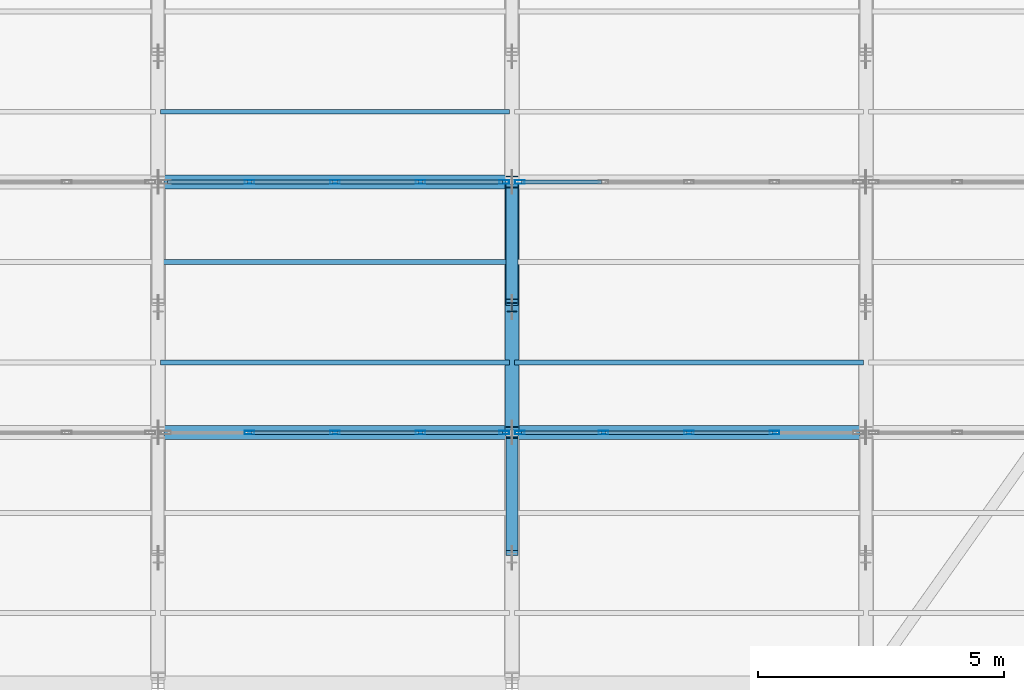
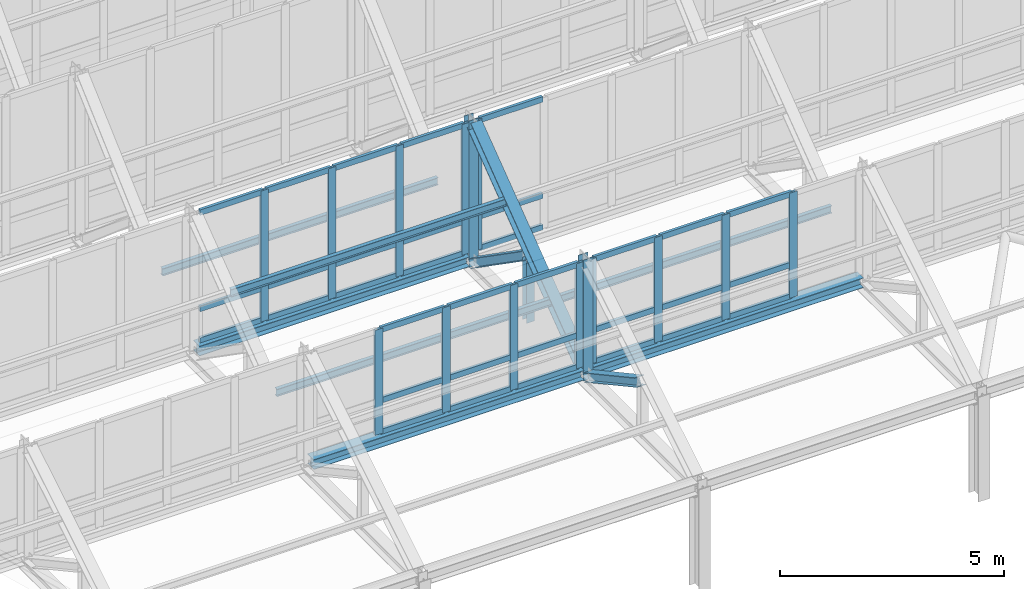
# One storey, part 29 of 157: 56 members, 3 beams, 4 elements without a shape of their own.
"""IFC4 building model written with IfcOpenShell, lengths in metres."""

from ifc_helpers import new_model, si_unit, direction, frame, origin, origin_2d, place, context, subcontext, project, spatial, hollow_rectangle, i_section, extrude, material, material_profile, profile_set, type_object, element, aggregate, save


model = new_model("IFC4")

# Units and contexts
model_context = context("Model", 3, precision=1e-05, world=origin(), true_north=direction((0.0, 1.0)))
body_context = subcontext(model_context, "Body", "Model", "MODEL_VIEW")
ifc_project = project(units=[si_unit("LENGTHUNIT", "METRE"), si_unit("AREAUNIT", "SQUARE_METRE"), si_unit("VOLUMEUNIT", "CUBIC_METRE"), si_unit("PLANEANGLEUNIT", "RADIAN"), si_unit("MASSUNIT", "GRAM", prefix="KILO")], contexts=[model_context])

# Site, building, storey
site_placement = place(None, origin())
site = spatial("IfcSite", under=ifc_project, at=site_placement, CompositionType="ELEMENT")
building_placement = place(site_placement, origin())
building = spatial("IfcBuilding", under=site, at=building_placement, Name="Suanplinth Sawtooth Commons", CompositionType="ELEMENT")
storey_placement = place(building_placement, frame((0.0, 0.0, 9.0)))
storey = spatial("IfcBuildingStorey", under=building, at=storey_placement, Name="L02", CompositionType="ELEMENT", Elevation=9.0)

# Beams
ifc_material_1 = material(Name="Steel S355JR", Category="steel")
ifc_material_profile_1 = material_profile(ifc_material_1, i_section(OverallWidth=0.280029296875, OverallDepth=0.27001953125, WebThickness=0.008056640625, FlangeThickness=0.012939453125, at=origin_2d()), Name="HEA 280")
ifc_profile_set_1 = profile_set([ifc_material_profile_1], Name="Steel S355JR")
beam_type = type_object("IfcBeamType", Name="B-16", PredefinedType="USERDEFINED", material=ifc_profile_set_1)
for number, where, z_axis, x_axis, name in (
    (1, (93.719970703125, 55.5, 2.820068359375), (1.0, 0.0, 0.0), (0.0, 1.0, 0.0), "Sawtooth Valley Girder T2-B5"),
    (2, (100.919921875, 55.5, 2.820068359375), (1.0, 0.0, 0.0), (0.0, 1.0, 0.0), "Sawtooth Valley Girder T2-B6"),
    (3, (93.719970703125, 60.60009765625, 2.820068359375), (1.0, 0.0, 0.0), (0.0, 1.0, 0.0), "Sawtooth Valley Girder T3-B5"),
):
    element("IfcBeam", number, at=place(storey_placement, frame(where, z_axis=z_axis, x_axis=x_axis)), inside=storey, type_object=beam_type, Name=name, ObjectType="GIRDER", PredefinedType="USERDEFINED", context=body_context, shape_type="SweptSolid", body=[
        extrude(i_section(OverallWidth=0.280029296875, OverallDepth=0.27001953125, WebThickness=0.008056640625, FlangeThickness=0.012939453125, at=origin_2d()), origin(), (0.0, 0.0, 1.0), 6.9599609375),
    ])

# Members
ifc_material_profile_2 = material_profile(ifc_material_1, i_section(OverallWidth=0.280029296875, OverallDepth=0.280029296875, WebThickness=0.010498046875, FlangeThickness=0.01806640625, at=origin_2d()), Name="HEB 280")
ifc_profile_set_2 = profile_set([ifc_material_profile_2], Name="Steel S355JR")
member_type_1 = type_object("IfcMemberType", Name="M-02", PredefinedType="CHORD", material=ifc_profile_set_2)
member_1_placement = place(storey_placement, frame((100.800048828125, 55.639892578125, 2.919921875), z_axis=(0.0, 0.799596436712, 0.600537707723), x_axis=(-1.0, 0.0, 0.0)))
element("IfcMember", 4, at=member_1_placement, inside=storey, type_object=member_type_1, Name="Sawtooth Truss T6 Top Chord 2", PredefinedType="CHORD", context=body_context, shape_type="SweptSolid", body=[
    extrude(i_section(OverallWidth=0.280029296875, OverallDepth=0.280029296875, WebThickness=0.010498046875, FlangeThickness=0.01806640625, at=origin_2d()), origin(), (0.0, 0.0, 1.0), 6.028076171875),
])
ifc_material_profile_3 = material_profile(ifc_material_1, i_section(OverallWidth=0.239990234375, OverallDepth=0.22998046875, WebThickness=0.007568359375, FlangeThickness=0.011962890625, at=origin_2d()), Name="HEA 240")
ifc_profile_set_3 = profile_set([ifc_material_profile_3], Name="Steel S355JR")
member_type_2 = type_object("IfcMemberType", Name="M-03", PredefinedType="BRACE", material=ifc_profile_set_3)
member_2_placement = place(storey_placement, frame((100.800048828125, 53.050048828125, 4.02001953125), z_axis=(0.0, 0.878022125023, -0.478620045517), x_axis=(-1.0, 0.0, 0.0)))
element("IfcMember", 5, at=member_2_placement, inside=storey, type_object=member_type_2, Name="Sawtooth Truss T6 Web Diagonal 1", PredefinedType="BRACE", context=body_context, shape_type="SweptSolid", body=[
    extrude(i_section(OverallWidth=0.239990234375, OverallDepth=0.22998046875, WebThickness=0.007568359375, FlangeThickness=0.011962890625, at=origin_2d()), origin(), (0.0, 0.0, 1.0), 2.653564453125),
])
member_3_placement = place(storey_placement, frame((100.800048828125, 58.14990234375, 4.3701171875), z_axis=(0.0, 0.821038438566, -0.570872912649), x_axis=(-1.0, 0.0, 0.0)))
element("IfcMember", 6, at=member_3_placement, inside=storey, type_object=member_type_2, Name="Sawtooth Truss T6 Web Diagonal 2", PredefinedType="BRACE", context=body_context, shape_type="SweptSolid", body=[
    extrude(i_section(OverallWidth=0.239990234375, OverallDepth=0.22998046875, WebThickness=0.007568359375, FlangeThickness=0.011962890625, at=origin_2d()), origin(), (0.0, 0.0, 1.0), 2.837890625),
])
ifc_material_profile_4 = material_profile(ifc_material_1, i_section(OverallWidth=0.199951171875, OverallDepth=0.18994140625, WebThickness=0.006591796875, FlangeThickness=0.010009765625, at=origin_2d()), Name="HEA 200")
ifc_profile_set_4 = profile_set([ifc_material_profile_4], Name="Steel S355JR")
member_type_3 = type_object("IfcMemberType", Name="M-04", PredefinedType="BRACE", material=ifc_profile_set_4)
member_4_placement = place(storey_placement, frame((100.800048828125, 58.050048828125, 2.64990234375), z_axis=(0.0, 0.0, 1.0), x_axis=(1.0, 0.0, 0.0)))
element("IfcMember", 7, at=member_4_placement, inside=storey, type_object=member_type_3, Name="Sawtooth Truss T6 Mid Web Post 2", PredefinedType="BRACE", context=body_context, shape_type="SweptSolid", body=[
    extrude(i_section(OverallWidth=0.199951171875, OverallDepth=0.18994140625, WebThickness=0.006591796875, FlangeThickness=0.010009765625, at=origin_2d()), origin(), (0.0, 0.0, 1.0), 1.7001953125),
])
ifc_material_profile_5 = material_profile(ifc_material_1, i_section(OverallWidth=0.239990234375, OverallDepth=0.239990234375, WebThickness=0.010009765625, FlangeThickness=0.01708984375, at=origin_2d()), Name="HEB 240")
ifc_profile_set_5 = profile_set([ifc_material_profile_5], Name="Steel S355JR")
member_type_4 = type_object("IfcMemberType", Name="M-05", PredefinedType="POST", material=ifc_profile_set_5)
member_5_placement = place(storey_placement, frame((100.800048828125, 55.5, 2.64990234375), z_axis=(0.0, 0.0, 1.0), x_axis=(1.0, 0.0, 0.0)))
element("IfcMember", 8, at=member_5_placement, inside=storey, type_object=member_type_4, Name="Sawtooth Truss T6 Clerestory Post 1", PredefinedType="POST", context=body_context, shape_type="SweptSolid", body=[
    extrude(i_section(OverallWidth=0.239990234375, OverallDepth=0.239990234375, WebThickness=0.010009765625, FlangeThickness=0.01708984375, at=origin_2d()), origin(), (0.0, 0.0, 1.0), 3.2900390625),
])
member_6_placement = place(storey_placement, frame((100.800048828125, 60.60009765625, 2.64990234375), z_axis=(0.0, 0.0, 1.0), x_axis=(1.0, 0.0, 0.0)))
element("IfcMember", 9, at=member_6_placement, inside=storey, type_object=member_type_4, Name="Sawtooth Truss T6 Clerestory Post 2", PredefinedType="POST", context=body_context, shape_type="SweptSolid", body=[
    extrude(i_section(OverallWidth=0.239990234375, OverallDepth=0.239990234375, WebThickness=0.010009765625, FlangeThickness=0.01708984375, at=origin_2d()), origin(), (0.0, 0.0, 1.0), 3.989990234375),
])
ifc_material_2 = material(Name="Steel SS400", Category="steel")
ifc_material_profile_6 = material_profile(ifc_material_2, i_section(OverallWidth=0.10009765625, OverallDepth=0.199951171875, WebThickness=0.005615234375, FlangeThickness=0.008544921875, at=origin_2d()), Name="IPE 200")
ifc_profile_set_6 = profile_set([ifc_material_profile_6], Name="Steel SS400")
member_type_5 = type_object("IfcMemberType", Name="M-06", PredefinedType="PURLIN", material=ifc_profile_set_6)
for number, where, z_axis, x_axis, name in (
    (10, (93.64990234375, 56.927978515625, 3.87353515625), (1.0, 0.0, 0.0), (0.0, 1.0, 0.0), "Sawtooth Roof Purlin T2-B5-P1"),
    (11, (93.64990234375, 58.968017578125, 5.353515625), (1.0, 0.0, 0.0), (0.0, 1.0, 0.0), "Sawtooth Roof Purlin T2-B5-P2"),
):
    element("IfcMember", number, at=place(storey_placement, frame(where, z_axis=z_axis, x_axis=x_axis)), inside=storey, type_object=member_type_5, Name=name, PredefinedType="PURLIN", context=body_context, shape_type="SweptSolid", body=[
        extrude(i_section(OverallWidth=0.10009765625, OverallDepth=0.199951171875, WebThickness=0.005615234375, FlangeThickness=0.008544921875, at=origin_2d()), origin(), (0.0, 0.0, 1.0), 7.10009765625),
    ])
member_7_placement = place(storey_placement, frame((100.85009765625, 56.927978515625, 3.87353515625), z_axis=(1.0, 0.0, 0.0), x_axis=(0.0, 1.0, 0.0)))
element("IfcMember", 12, at=member_7_placement, inside=storey, type_object=member_type_5, Name="Sawtooth Roof Purlin T2-B6-P1", PredefinedType="PURLIN", context=body_context, shape_type="SweptSolid", body=[
    extrude(i_section(OverallWidth=0.10009765625, OverallDepth=0.199951171875, WebThickness=0.005615234375, FlangeThickness=0.008544921875, at=origin_2d()), origin(), (0.0, 0.0, 1.0), 7.099853515625),
])
member_8_placement = place(storey_placement, frame((93.64990234375, 62.028076171875, 4.067138671875), z_axis=(1.0, 0.0, 0.0), x_axis=(0.0, 1.0, 0.0)))
element("IfcMember", 13, at=member_8_placement, inside=storey, type_object=member_type_5, Name="Sawtooth Roof Purlin T3-B5-P1", PredefinedType="PURLIN", context=body_context, shape_type="SweptSolid", body=[
    extrude(i_section(OverallWidth=0.10009765625, OverallDepth=0.199951171875, WebThickness=0.005615234375, FlangeThickness=0.008544921875, at=origin_2d()), origin(), (0.0, 0.0, 1.0), 7.10009765625),
])

# Curtain wall, members
ifc_material_3 = material(Name="Anodized aluminium and low-E glazing", Category="aluminium")
curtain_wall_type = type_object("IfcCurtainWallType", Name="CW-03", PredefinedType="USERDEFINED", material=ifc_material_3)
curtain_wall_1_placement = place(storey_placement, origin())
curtain_wall_1 = element("IfcCurtainWall", 14, at=curtain_wall_1_placement, inside=storey, type_object=curtain_wall_type, Name="Curtain Wall CW-SAW-T1-B5", ObjectType="CURTAIN WALL", PredefinedType="USERDEFINED")
ifc_material_4 = material(Name="Anodized aluminium 6063-T6", Category="aluminium")
ifc_material_profile_7 = material_profile(ifc_material_4, hollow_rectangle(XDim=0.074951171875, YDim=0.199951171875, WallThickness=0.0048828125, at=origin_2d()), Name="ALU-MUL 75x200")
ifc_profile_set_7 = profile_set([ifc_material_profile_7], Name="Anodized aluminium 6063-T6")
member_type_6 = type_object("IfcMemberType", Name="M-14", PredefinedType="MULLION", material=ifc_profile_set_7)
member_9_placement = place(storey_placement, frame((95.4599609375, 55.5, 2.97998046875), z_axis=(0.0, 0.0, 1.0), x_axis=(0.0, 1.0, 0.0)))
member_9 = element("IfcMember", 15, at=member_9_placement, type_object=member_type_6, Name="CW-03 mullion 2", PredefinedType="MULLION", context=body_context, shape_type="SweptSolid", body=[
    extrude(hollow_rectangle(XDim=0.074951171875, YDim=0.199951171875, WallThickness=0.0048828125, at=origin_2d()), origin(), (0.0, 0.0, 1.0), 2.860107421875),
])
member_10_placement = place(storey_placement, frame((97.199951171875, 55.5, 2.97998046875), z_axis=(0.0, 0.0, 1.0), x_axis=(0.0, 1.0, 0.0)))
member_10 = element("IfcMember", 16, at=member_10_placement, type_object=member_type_6, Name="CW-03 mullion 3", PredefinedType="MULLION", context=body_context, shape_type="SweptSolid", body=[
    extrude(hollow_rectangle(XDim=0.074951171875, YDim=0.199951171875, WallThickness=0.0048828125, at=origin_2d()), origin(), (0.0, 0.0, 1.0), 2.860107421875),
])
member_11_placement = place(storey_placement, frame((98.93994140625, 55.5, 2.97998046875), z_axis=(0.0, 0.0, 1.0), x_axis=(0.0, 1.0, 0.0)))
member_11 = element("IfcMember", 17, at=member_11_placement, type_object=member_type_6, Name="CW-03 mullion 4", PredefinedType="MULLION", context=body_context, shape_type="SweptSolid", body=[
    extrude(hollow_rectangle(XDim=0.074951171875, YDim=0.199951171875, WallThickness=0.0048828125, at=origin_2d()), origin(), (0.0, 0.0, 1.0), 2.860107421875),
])
member_12_placement = place(storey_placement, frame((100.642578125, 55.5, 2.97998046875), z_axis=(0.0, 0.0, 1.0), x_axis=(0.0, 1.0, 0.0)))
member_12 = element("IfcMember", 18, at=member_12_placement, type_object=member_type_6, Name="CW-03 mullion 5", PredefinedType="MULLION", context=body_context, shape_type="SweptSolid", body=[
    extrude(hollow_rectangle(XDim=0.074951171875, YDim=0.199951171875, WallThickness=0.0048828125, at=origin_2d()), origin(), (0.0, 0.0, 1.0), 2.860107421875),
])

curtain_wall_2_placement = place(storey_placement, origin())
curtain_wall_2 = element("IfcCurtainWall", 19, at=curtain_wall_2_placement, inside=storey, type_object=curtain_wall_type, Name="Curtain Wall CW-SAW-T1-B6", ObjectType="CURTAIN WALL", PredefinedType="USERDEFINED")
member_13_placement = place(storey_placement, frame((100.95751953125, 55.5, 2.97998046875), z_axis=(0.0, 0.0, 1.0), x_axis=(0.0, 1.0, 0.0)))
member_13 = element("IfcMember", 20, at=member_13_placement, type_object=member_type_6, Name="CW-03 mullion 1", PredefinedType="MULLION", context=body_context, shape_type="SweptSolid", body=[
    extrude(hollow_rectangle(XDim=0.074951171875, YDim=0.199951171875, WallThickness=0.0048828125, at=origin_2d()), origin(), (0.0, 0.0, 1.0), 2.860107421875),
])
member_14_placement = place(storey_placement, frame((102.659912109375, 55.5, 2.97998046875), z_axis=(0.0, 0.0, 1.0), x_axis=(0.0, 1.0, 0.0)))
member_14 = element("IfcMember", 21, at=member_14_placement, type_object=member_type_6, Name="CW-03 mullion 2", PredefinedType="MULLION", context=body_context, shape_type="SweptSolid", body=[
    extrude(hollow_rectangle(XDim=0.074951171875, YDim=0.199951171875, WallThickness=0.0048828125, at=origin_2d()), origin(), (0.0, 0.0, 1.0), 2.860107421875),
])
member_15_placement = place(storey_placement, frame((104.39990234375, 55.5, 2.97998046875), z_axis=(0.0, 0.0, 1.0), x_axis=(0.0, 1.0, 0.0)))
member_15 = element("IfcMember", 22, at=member_15_placement, type_object=member_type_6, Name="CW-03 mullion 3", PredefinedType="MULLION", context=body_context, shape_type="SweptSolid", body=[
    extrude(hollow_rectangle(XDim=0.074951171875, YDim=0.199951171875, WallThickness=0.0048828125, at=origin_2d()), origin(), (0.0, 0.0, 1.0), 2.860107421875),
])
member_16_placement = place(storey_placement, frame((106.139892578125, 55.5, 2.97998046875), z_axis=(0.0, 0.0, 1.0), x_axis=(0.0, 1.0, 0.0)))
member_16 = element("IfcMember", 23, at=member_16_placement, type_object=member_type_6, Name="CW-03 mullion 4", PredefinedType="MULLION", context=body_context, shape_type="SweptSolid", body=[
    extrude(hollow_rectangle(XDim=0.074951171875, YDim=0.199951171875, WallThickness=0.0048828125, at=origin_2d()), origin(), (0.0, 0.0, 1.0), 2.860107421875),
])

curtain_wall_3_placement = place(storey_placement, origin())
curtain_wall_3 = element("IfcCurtainWall", 24, at=curtain_wall_3_placement, inside=storey, type_object=curtain_wall_type, Name="Curtain Wall CW-SAW-T2-B5", ObjectType="CURTAIN WALL", PredefinedType="USERDEFINED")
member_17_placement = place(storey_placement, frame((95.4599609375, 60.60009765625, 2.97998046875), z_axis=(0.0, 0.0, 1.0), x_axis=(0.0, 1.0, 0.0)))
member_17 = element("IfcMember", 25, at=member_17_placement, type_object=member_type_6, Name="CW-03 mullion 2", PredefinedType="MULLION", context=body_context, shape_type="SweptSolid", body=[
    extrude(hollow_rectangle(XDim=0.074951171875, YDim=0.199951171875, WallThickness=0.0048828125, at=origin_2d()), origin(), (0.0, 0.0, 1.0), 3.56005859375),
])
member_18_placement = place(storey_placement, frame((97.199951171875, 60.60009765625, 2.97998046875), z_axis=(0.0, 0.0, 1.0), x_axis=(0.0, 1.0, 0.0)))
member_18 = element("IfcMember", 26, at=member_18_placement, type_object=member_type_6, Name="CW-03 mullion 3", PredefinedType="MULLION", context=body_context, shape_type="SweptSolid", body=[
    extrude(hollow_rectangle(XDim=0.074951171875, YDim=0.199951171875, WallThickness=0.0048828125, at=origin_2d()), origin(), (0.0, 0.0, 1.0), 3.56005859375),
])
member_19_placement = place(storey_placement, frame((98.93994140625, 60.60009765625, 2.97998046875), z_axis=(0.0, 0.0, 1.0), x_axis=(0.0, 1.0, 0.0)))
member_19 = element("IfcMember", 27, at=member_19_placement, type_object=member_type_6, Name="CW-03 mullion 4", PredefinedType="MULLION", context=body_context, shape_type="SweptSolid", body=[
    extrude(hollow_rectangle(XDim=0.074951171875, YDim=0.199951171875, WallThickness=0.0048828125, at=origin_2d()), origin(), (0.0, 0.0, 1.0), 3.56005859375),
])
member_20_placement = place(storey_placement, frame((100.642578125, 60.60009765625, 2.97998046875), z_axis=(0.0, 0.0, 1.0), x_axis=(0.0, 1.0, 0.0)))
member_20 = element("IfcMember", 28, at=member_20_placement, type_object=member_type_6, Name="CW-03 mullion 5", PredefinedType="MULLION", context=body_context, shape_type="SweptSolid", body=[
    extrude(hollow_rectangle(XDim=0.074951171875, YDim=0.199951171875, WallThickness=0.0048828125, at=origin_2d()), origin(), (0.0, 0.0, 1.0), 3.56005859375),
])

# Curtain wall, member
curtain_wall_4_placement = place(storey_placement, origin())
curtain_wall_4 = element("IfcCurtainWall", 29, at=curtain_wall_4_placement, inside=storey, type_object=curtain_wall_type, Name="Curtain Wall CW-SAW-T2-B6", ObjectType="CURTAIN WALL", PredefinedType="USERDEFINED")
member_21_placement = place(storey_placement, frame((100.95751953125, 60.60009765625, 2.97998046875), z_axis=(0.0, 0.0, 1.0), x_axis=(0.0, 1.0, 0.0)))
member_21 = element("IfcMember", 30, at=member_21_placement, type_object=member_type_6, Name="CW-03 mullion 1", PredefinedType="MULLION", context=body_context, shape_type="SweptSolid", body=[
    extrude(hollow_rectangle(XDim=0.074951171875, YDim=0.199951171875, WallThickness=0.0048828125, at=origin_2d()), origin(), (0.0, 0.0, 1.0), 3.56005859375),
])

# Member
ifc_material_profile_8 = material_profile(ifc_material_4, hollow_rectangle(XDim=0.074951171875, YDim=0.14990234375, WallThickness=0.00439453125, at=origin_2d()), Name="ALU-TRN 75x150")
ifc_profile_set_8 = profile_set([ifc_material_profile_8], Name="Anodized aluminium 6063-T6")
member_type_7 = type_object("IfcMemberType", Name="M-16", PredefinedType="USERDEFINED", material=ifc_profile_set_8)
member_22_placement = place(storey_placement, frame((95.49755859375, 55.5, 3.017578125), z_axis=(1.0, 0.0, 0.0), x_axis=(0.0, 1.0, 0.0)))
member_22 = element("IfcMember", 31, at=member_22_placement, type_object=member_type_7, Name="CW-03 transom 2.1", ObjectType="TRANSOM", PredefinedType="USERDEFINED", context=body_context, shape_type="SweptSolid", body=[
    extrude(hollow_rectangle(XDim=0.074951171875, YDim=0.14990234375, WallThickness=0.00439453125, at=origin_2d()), origin(), (0.0, 0.0, 1.0), 1.6650390625),
])

member_23_placement = place(storey_placement, frame((95.49755859375, 55.5, 3.8798828125), z_axis=(1.0, 0.0, 0.0), x_axis=(0.0, 1.0, 0.0)))
member_23 = element("IfcMember", 32, at=member_23_placement, type_object=member_type_7, Name="CW-03 transom 2.2", ObjectType="TRANSOM", PredefinedType="USERDEFINED", context=body_context, shape_type="SweptSolid", body=[
    extrude(hollow_rectangle(XDim=0.074951171875, YDim=0.14990234375, WallThickness=0.00439453125, at=origin_2d()), origin(), (0.0, 0.0, 1.0), 1.6650390625),
])

member_24_placement = place(storey_placement, frame((95.49755859375, 55.5, 5.802490234375), z_axis=(1.0, 0.0, 0.0), x_axis=(0.0, 1.0, 0.0)))
member_24 = element("IfcMember", 33, at=member_24_placement, type_object=member_type_7, Name="CW-03 transom 2.3", ObjectType="TRANSOM", PredefinedType="USERDEFINED", context=body_context, shape_type="SweptSolid", body=[
    extrude(hollow_rectangle(XDim=0.074951171875, YDim=0.14990234375, WallThickness=0.00439453125, at=origin_2d()), origin(), (0.0, 0.0, 1.0), 1.6650390625),
])

member_25_placement = place(storey_placement, frame((97.237548828125, 55.5, 3.017578125), z_axis=(1.0, 0.0, 0.0), x_axis=(0.0, 1.0, 0.0)))
member_25 = element("IfcMember", 34, at=member_25_placement, type_object=member_type_7, Name="CW-03 transom 3.1", ObjectType="TRANSOM", PredefinedType="USERDEFINED", context=body_context, shape_type="SweptSolid", body=[
    extrude(hollow_rectangle(XDim=0.074951171875, YDim=0.14990234375, WallThickness=0.00439453125, at=origin_2d()), origin(), (0.0, 0.0, 1.0), 1.6650390625),
])

member_26_placement = place(storey_placement, frame((97.237548828125, 55.5, 3.8798828125), z_axis=(1.0, 0.0, 0.0), x_axis=(0.0, 1.0, 0.0)))
member_26 = element("IfcMember", 35, at=member_26_placement, type_object=member_type_7, Name="CW-03 transom 3.2", ObjectType="TRANSOM", PredefinedType="USERDEFINED", context=body_context, shape_type="SweptSolid", body=[
    extrude(hollow_rectangle(XDim=0.074951171875, YDim=0.14990234375, WallThickness=0.00439453125, at=origin_2d()), origin(), (0.0, 0.0, 1.0), 1.6650390625),
])

member_27_placement = place(storey_placement, frame((97.237548828125, 55.5, 5.802490234375), z_axis=(1.0, 0.0, 0.0), x_axis=(0.0, 1.0, 0.0)))
member_27 = element("IfcMember", 36, at=member_27_placement, type_object=member_type_7, Name="CW-03 transom 3.3", ObjectType="TRANSOM", PredefinedType="USERDEFINED", context=body_context, shape_type="SweptSolid", body=[
    extrude(hollow_rectangle(XDim=0.074951171875, YDim=0.14990234375, WallThickness=0.00439453125, at=origin_2d()), origin(), (0.0, 0.0, 1.0), 1.6650390625),
])

member_28_placement = place(storey_placement, frame((98.9775390625, 55.5, 3.017578125), z_axis=(1.0, 0.0, 0.0), x_axis=(0.0, 1.0, 0.0)))
member_28 = element("IfcMember", 37, at=member_28_placement, type_object=member_type_7, Name="CW-03 transom 4.1", ObjectType="TRANSOM", PredefinedType="USERDEFINED", context=body_context, shape_type="SweptSolid", body=[
    extrude(hollow_rectangle(XDim=0.074951171875, YDim=0.14990234375, WallThickness=0.00439453125, at=origin_2d()), origin(), (0.0, 0.0, 1.0), 1.62744140625),
])

member_29_placement = place(storey_placement, frame((98.9775390625, 55.5, 3.8798828125), z_axis=(1.0, 0.0, 0.0), x_axis=(0.0, 1.0, 0.0)))
member_29 = element("IfcMember", 38, at=member_29_placement, type_object=member_type_7, Name="CW-03 transom 4.2", ObjectType="TRANSOM", PredefinedType="USERDEFINED", context=body_context, shape_type="SweptSolid", body=[
    extrude(hollow_rectangle(XDim=0.074951171875, YDim=0.14990234375, WallThickness=0.00439453125, at=origin_2d()), origin(), (0.0, 0.0, 1.0), 1.62744140625),
])

member_30_placement = place(storey_placement, frame((98.9775390625, 55.5, 5.802490234375), z_axis=(1.0, 0.0, 0.0), x_axis=(0.0, 1.0, 0.0)))
member_30 = element("IfcMember", 39, at=member_30_placement, type_object=member_type_7, Name="CW-03 transom 4.3", ObjectType="TRANSOM", PredefinedType="USERDEFINED", context=body_context, shape_type="SweptSolid", body=[
    extrude(hollow_rectangle(XDim=0.074951171875, YDim=0.14990234375, WallThickness=0.00439453125, at=origin_2d()), origin(), (0.0, 0.0, 1.0), 1.62744140625),
])

aggregate(curtain_wall_1, [member_9, member_10, member_11, member_12, member_22, member_23, member_24, member_25, member_26, member_27, member_28, member_29, member_30])

member_31_placement = place(storey_placement, frame((100.9951171875, 55.5, 3.017578125), z_axis=(1.0, 0.0, 0.0), x_axis=(0.0, 1.0, 0.0)))
member_31 = element("IfcMember", 40, at=member_31_placement, type_object=member_type_7, Name="CW-03 transom 1.1", ObjectType="TRANSOM", PredefinedType="USERDEFINED", context=body_context, shape_type="SweptSolid", body=[
    extrude(hollow_rectangle(XDim=0.074951171875, YDim=0.14990234375, WallThickness=0.00439453125, at=origin_2d()), origin(), (0.0, 0.0, 1.0), 1.62744140625),
])

member_32_placement = place(storey_placement, frame((100.9951171875, 55.5, 3.8798828125), z_axis=(1.0, 0.0, 0.0), x_axis=(0.0, 1.0, 0.0)))
member_32 = element("IfcMember", 41, at=member_32_placement, type_object=member_type_7, Name="CW-03 transom 1.2", ObjectType="TRANSOM", PredefinedType="USERDEFINED", context=body_context, shape_type="SweptSolid", body=[
    extrude(hollow_rectangle(XDim=0.074951171875, YDim=0.14990234375, WallThickness=0.00439453125, at=origin_2d()), origin(), (0.0, 0.0, 1.0), 1.62744140625),
])

member_33_placement = place(storey_placement, frame((100.9951171875, 55.5, 5.802490234375), z_axis=(1.0, 0.0, 0.0), x_axis=(0.0, 1.0, 0.0)))
member_33 = element("IfcMember", 42, at=member_33_placement, type_object=member_type_7, Name="CW-03 transom 1.3", ObjectType="TRANSOM", PredefinedType="USERDEFINED", context=body_context, shape_type="SweptSolid", body=[
    extrude(hollow_rectangle(XDim=0.074951171875, YDim=0.14990234375, WallThickness=0.00439453125, at=origin_2d()), origin(), (0.0, 0.0, 1.0), 1.62744140625),
])

member_34_placement = place(storey_placement, frame((102.697509765625, 55.5, 3.017578125), z_axis=(1.0, 0.0, 0.0), x_axis=(0.0, 1.0, 0.0)))
member_34 = element("IfcMember", 43, at=member_34_placement, type_object=member_type_7, Name="CW-03 transom 2.1", ObjectType="TRANSOM", PredefinedType="USERDEFINED", context=body_context, shape_type="SweptSolid", body=[
    extrude(hollow_rectangle(XDim=0.074951171875, YDim=0.14990234375, WallThickness=0.00439453125, at=origin_2d()), origin(), (0.0, 0.0, 1.0), 1.6650390625),
])

member_35_placement = place(storey_placement, frame((102.697509765625, 55.5, 3.8798828125), z_axis=(1.0, 0.0, 0.0), x_axis=(0.0, 1.0, 0.0)))
member_35 = element("IfcMember", 44, at=member_35_placement, type_object=member_type_7, Name="CW-03 transom 2.2", ObjectType="TRANSOM", PredefinedType="USERDEFINED", context=body_context, shape_type="SweptSolid", body=[
    extrude(hollow_rectangle(XDim=0.074951171875, YDim=0.14990234375, WallThickness=0.00439453125, at=origin_2d()), origin(), (0.0, 0.0, 1.0), 1.6650390625),
])

member_36_placement = place(storey_placement, frame((102.697509765625, 55.5, 5.802490234375), z_axis=(1.0, 0.0, 0.0), x_axis=(0.0, 1.0, 0.0)))
member_36 = element("IfcMember", 45, at=member_36_placement, type_object=member_type_7, Name="CW-03 transom 2.3", ObjectType="TRANSOM", PredefinedType="USERDEFINED", context=body_context, shape_type="SweptSolid", body=[
    extrude(hollow_rectangle(XDim=0.074951171875, YDim=0.14990234375, WallThickness=0.00439453125, at=origin_2d()), origin(), (0.0, 0.0, 1.0), 1.6650390625),
])

member_37_placement = place(storey_placement, frame((104.4375, 55.5, 3.017578125), z_axis=(1.0, 0.0, 0.0), x_axis=(0.0, 1.0, 0.0)))
member_37 = element("IfcMember", 46, at=member_37_placement, type_object=member_type_7, Name="CW-03 transom 3.1", ObjectType="TRANSOM", PredefinedType="USERDEFINED", context=body_context, shape_type="SweptSolid", body=[
    extrude(hollow_rectangle(XDim=0.074951171875, YDim=0.14990234375, WallThickness=0.00439453125, at=origin_2d()), origin(), (0.0, 0.0, 1.0), 1.6650390625),
])

member_38_placement = place(storey_placement, frame((104.4375, 55.5, 3.8798828125), z_axis=(1.0, 0.0, 0.0), x_axis=(0.0, 1.0, 0.0)))
member_38 = element("IfcMember", 47, at=member_38_placement, type_object=member_type_7, Name="CW-03 transom 3.2", ObjectType="TRANSOM", PredefinedType="USERDEFINED", context=body_context, shape_type="SweptSolid", body=[
    extrude(hollow_rectangle(XDim=0.074951171875, YDim=0.14990234375, WallThickness=0.00439453125, at=origin_2d()), origin(), (0.0, 0.0, 1.0), 1.6650390625),
])

member_39_placement = place(storey_placement, frame((104.4375, 55.5, 5.802490234375), z_axis=(1.0, 0.0, 0.0), x_axis=(0.0, 1.0, 0.0)))
member_39 = element("IfcMember", 48, at=member_39_placement, type_object=member_type_7, Name="CW-03 transom 3.3", ObjectType="TRANSOM", PredefinedType="USERDEFINED", context=body_context, shape_type="SweptSolid", body=[
    extrude(hollow_rectangle(XDim=0.074951171875, YDim=0.14990234375, WallThickness=0.00439453125, at=origin_2d()), origin(), (0.0, 0.0, 1.0), 1.6650390625),
])

aggregate(curtain_wall_2, [member_13, member_14, member_15, member_16, member_31, member_32, member_33, member_34, member_35, member_36, member_37, member_38, member_39])

member_40_placement = place(storey_placement, frame((93.794921875, 60.60009765625, 3.017578125), z_axis=(1.0, 0.0, 0.0), x_axis=(0.0, 1.0, 0.0)))
member_40 = element("IfcMember", 49, at=member_40_placement, type_object=member_type_7, Name="CW-03 transom 1.1", ObjectType="TRANSOM", PredefinedType="USERDEFINED", context=body_context, shape_type="SweptSolid", body=[
    extrude(hollow_rectangle(XDim=0.074951171875, YDim=0.14990234375, WallThickness=0.00439453125, at=origin_2d()), origin(), (0.0, 0.0, 1.0), 1.627685546875),
])

member_41_placement = place(storey_placement, frame((93.794921875, 60.60009765625, 3.8798828125), z_axis=(1.0, 0.0, 0.0), x_axis=(0.0, 1.0, 0.0)))
member_41 = element("IfcMember", 50, at=member_41_placement, type_object=member_type_7, Name="CW-03 transom 1.2", ObjectType="TRANSOM", PredefinedType="USERDEFINED", context=body_context, shape_type="SweptSolid", body=[
    extrude(hollow_rectangle(XDim=0.074951171875, YDim=0.14990234375, WallThickness=0.00439453125, at=origin_2d()), origin(), (0.0, 0.0, 1.0), 1.627685546875),
])

member_42_placement = place(storey_placement, frame((93.794921875, 60.60009765625, 6.50244140625), z_axis=(1.0, 0.0, 0.0), x_axis=(0.0, 1.0, 0.0)))
member_42 = element("IfcMember", 51, at=member_42_placement, type_object=member_type_7, Name="CW-03 transom 1.3", ObjectType="TRANSOM", PredefinedType="USERDEFINED", context=body_context, shape_type="SweptSolid", body=[
    extrude(hollow_rectangle(XDim=0.074951171875, YDim=0.14990234375, WallThickness=0.00439453125, at=origin_2d()), origin(), (0.0, 0.0, 1.0), 1.627685546875),
])

member_43_placement = place(storey_placement, frame((95.49755859375, 60.60009765625, 3.017578125), z_axis=(1.0, 0.0, 0.0), x_axis=(0.0, 1.0, 0.0)))
member_43 = element("IfcMember", 52, at=member_43_placement, type_object=member_type_7, Name="CW-03 transom 2.1", ObjectType="TRANSOM", PredefinedType="USERDEFINED", context=body_context, shape_type="SweptSolid", body=[
    extrude(hollow_rectangle(XDim=0.074951171875, YDim=0.14990234375, WallThickness=0.00439453125, at=origin_2d()), origin(), (0.0, 0.0, 1.0), 1.6650390625),
])

member_44_placement = place(storey_placement, frame((95.49755859375, 60.60009765625, 3.8798828125), z_axis=(1.0, 0.0, 0.0), x_axis=(0.0, 1.0, 0.0)))
member_44 = element("IfcMember", 53, at=member_44_placement, type_object=member_type_7, Name="CW-03 transom 2.2", ObjectType="TRANSOM", PredefinedType="USERDEFINED", context=body_context, shape_type="SweptSolid", body=[
    extrude(hollow_rectangle(XDim=0.074951171875, YDim=0.14990234375, WallThickness=0.00439453125, at=origin_2d()), origin(), (0.0, 0.0, 1.0), 1.6650390625),
])

member_45_placement = place(storey_placement, frame((95.49755859375, 60.60009765625, 6.50244140625), z_axis=(1.0, 0.0, 0.0), x_axis=(0.0, 1.0, 0.0)))
member_45 = element("IfcMember", 54, at=member_45_placement, type_object=member_type_7, Name="CW-03 transom 2.3", ObjectType="TRANSOM", PredefinedType="USERDEFINED", context=body_context, shape_type="SweptSolid", body=[
    extrude(hollow_rectangle(XDim=0.074951171875, YDim=0.14990234375, WallThickness=0.00439453125, at=origin_2d()), origin(), (0.0, 0.0, 1.0), 1.6650390625),
])

member_46_placement = place(storey_placement, frame((97.237548828125, 60.60009765625, 3.017578125), z_axis=(1.0, 0.0, 0.0), x_axis=(0.0, 1.0, 0.0)))
member_46 = element("IfcMember", 55, at=member_46_placement, type_object=member_type_7, Name="CW-03 transom 3.1", ObjectType="TRANSOM", PredefinedType="USERDEFINED", context=body_context, shape_type="SweptSolid", body=[
    extrude(hollow_rectangle(XDim=0.074951171875, YDim=0.14990234375, WallThickness=0.00439453125, at=origin_2d()), origin(), (0.0, 0.0, 1.0), 1.6650390625),
])

member_47_placement = place(storey_placement, frame((97.237548828125, 60.60009765625, 3.8798828125), z_axis=(1.0, 0.0, 0.0), x_axis=(0.0, 1.0, 0.0)))
member_47 = element("IfcMember", 56, at=member_47_placement, type_object=member_type_7, Name="CW-03 transom 3.2", ObjectType="TRANSOM", PredefinedType="USERDEFINED", context=body_context, shape_type="SweptSolid", body=[
    extrude(hollow_rectangle(XDim=0.074951171875, YDim=0.14990234375, WallThickness=0.00439453125, at=origin_2d()), origin(), (0.0, 0.0, 1.0), 1.6650390625),
])

member_48_placement = place(storey_placement, frame((97.237548828125, 60.60009765625, 6.50244140625), z_axis=(1.0, 0.0, 0.0), x_axis=(0.0, 1.0, 0.0)))
member_48 = element("IfcMember", 57, at=member_48_placement, type_object=member_type_7, Name="CW-03 transom 3.3", ObjectType="TRANSOM", PredefinedType="USERDEFINED", context=body_context, shape_type="SweptSolid", body=[
    extrude(hollow_rectangle(XDim=0.074951171875, YDim=0.14990234375, WallThickness=0.00439453125, at=origin_2d()), origin(), (0.0, 0.0, 1.0), 1.6650390625),
])

member_49_placement = place(storey_placement, frame((98.9775390625, 60.60009765625, 3.017578125), z_axis=(1.0, 0.0, 0.0), x_axis=(0.0, 1.0, 0.0)))
member_49 = element("IfcMember", 58, at=member_49_placement, type_object=member_type_7, Name="CW-03 transom 4.1", ObjectType="TRANSOM", PredefinedType="USERDEFINED", context=body_context, shape_type="SweptSolid", body=[
    extrude(hollow_rectangle(XDim=0.074951171875, YDim=0.14990234375, WallThickness=0.00439453125, at=origin_2d()), origin(), (0.0, 0.0, 1.0), 1.62744140625),
])

member_50_placement = place(storey_placement, frame((98.9775390625, 60.60009765625, 3.8798828125), z_axis=(1.0, 0.0, 0.0), x_axis=(0.0, 1.0, 0.0)))
member_50 = element("IfcMember", 59, at=member_50_placement, type_object=member_type_7, Name="CW-03 transom 4.2", ObjectType="TRANSOM", PredefinedType="USERDEFINED", context=body_context, shape_type="SweptSolid", body=[
    extrude(hollow_rectangle(XDim=0.074951171875, YDim=0.14990234375, WallThickness=0.00439453125, at=origin_2d()), origin(), (0.0, 0.0, 1.0), 1.62744140625),
])

member_51_placement = place(storey_placement, frame((98.9775390625, 60.60009765625, 6.50244140625), z_axis=(1.0, 0.0, 0.0), x_axis=(0.0, 1.0, 0.0)))
member_51 = element("IfcMember", 60, at=member_51_placement, type_object=member_type_7, Name="CW-03 transom 4.3", ObjectType="TRANSOM", PredefinedType="USERDEFINED", context=body_context, shape_type="SweptSolid", body=[
    extrude(hollow_rectangle(XDim=0.074951171875, YDim=0.14990234375, WallThickness=0.00439453125, at=origin_2d()), origin(), (0.0, 0.0, 1.0), 1.62744140625),
])

aggregate(curtain_wall_3, [member_17, member_18, member_19, member_20, member_40, member_41, member_42, member_43, member_44, member_45, member_46, member_47, member_48, member_49, member_50, member_51])

member_52_placement = place(storey_placement, frame((100.9951171875, 60.60009765625, 3.017578125), z_axis=(1.0, 0.0, 0.0), x_axis=(0.0, 1.0, 0.0)))
member_52 = element("IfcMember", 61, at=member_52_placement, type_object=member_type_7, Name="CW-03 transom 1.1", ObjectType="TRANSOM", PredefinedType="USERDEFINED", context=body_context, shape_type="SweptSolid", body=[
    extrude(hollow_rectangle(XDim=0.074951171875, YDim=0.14990234375, WallThickness=0.00439453125, at=origin_2d()), origin(), (0.0, 0.0, 1.0), 1.62744140625),
])

member_53_placement = place(storey_placement, frame((100.9951171875, 60.60009765625, 3.8798828125), z_axis=(1.0, 0.0, 0.0), x_axis=(0.0, 1.0, 0.0)))
member_53 = element("IfcMember", 62, at=member_53_placement, type_object=member_type_7, Name="CW-03 transom 1.2", ObjectType="TRANSOM", PredefinedType="USERDEFINED", context=body_context, shape_type="SweptSolid", body=[
    extrude(hollow_rectangle(XDim=0.074951171875, YDim=0.14990234375, WallThickness=0.00439453125, at=origin_2d()), origin(), (0.0, 0.0, 1.0), 1.62744140625),
])

member_54_placement = place(storey_placement, frame((100.9951171875, 60.60009765625, 6.50244140625), z_axis=(1.0, 0.0, 0.0), x_axis=(0.0, 1.0, 0.0)))
member_54 = element("IfcMember", 63, at=member_54_placement, type_object=member_type_7, Name="CW-03 transom 1.3", ObjectType="TRANSOM", PredefinedType="USERDEFINED", context=body_context, shape_type="SweptSolid", body=[
    extrude(hollow_rectangle(XDim=0.074951171875, YDim=0.14990234375, WallThickness=0.00439453125, at=origin_2d()), origin(), (0.0, 0.0, 1.0), 1.62744140625),
])

aggregate(curtain_wall_4, [member_21, member_52, member_53, member_54])

save(model, "model.ifc")
